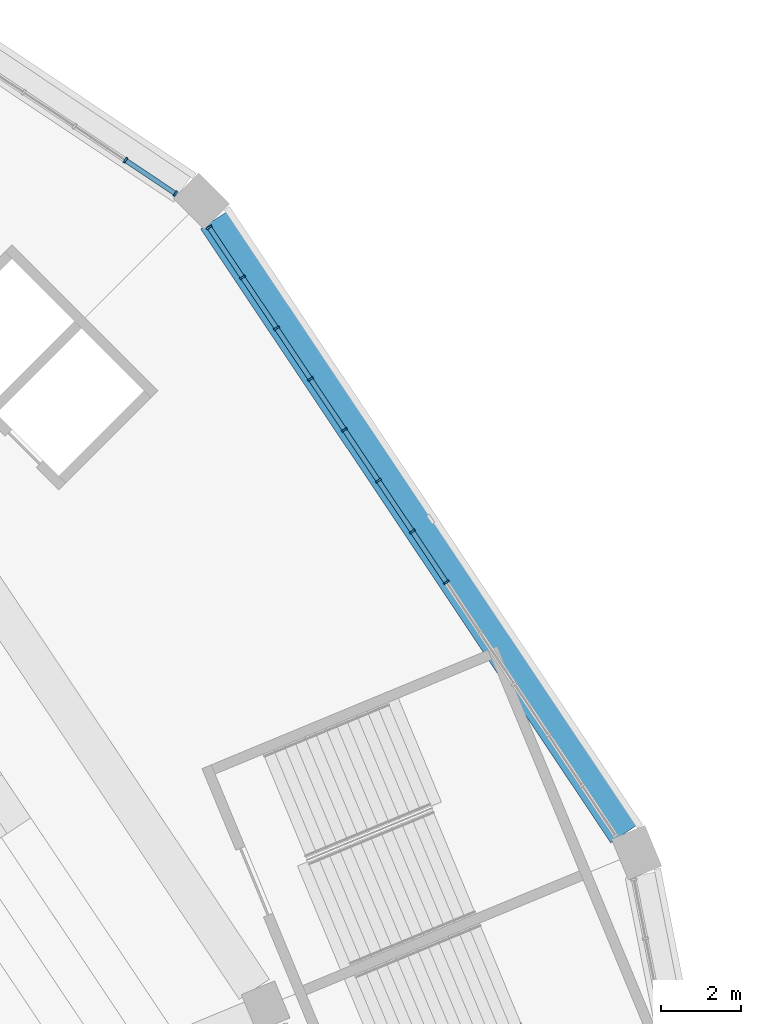
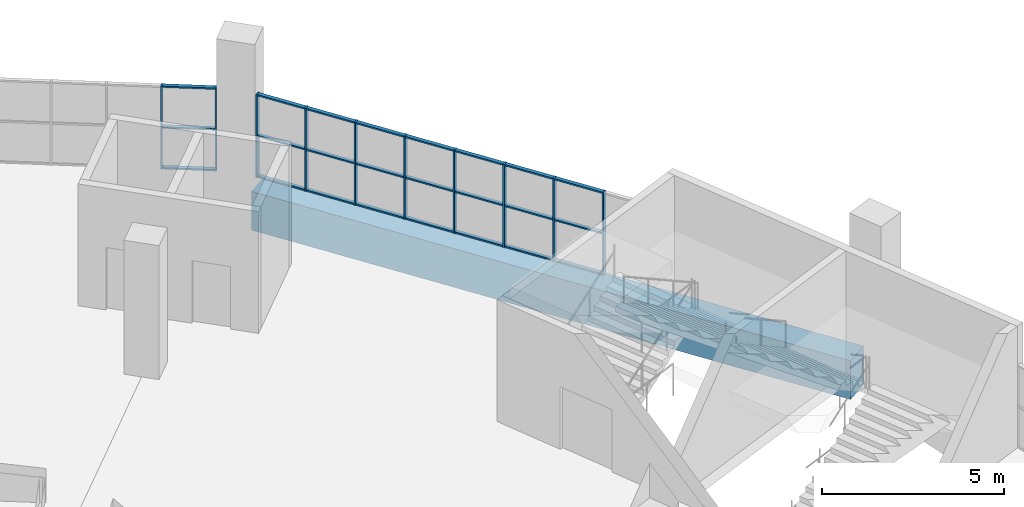
# One storey, part 58 of 249: 34 members, 1 beam, 2 elements without a shape of their own.
"""IFC4 building model written with IfcOpenShell, lengths in metres."""

from ifc_helpers import new_model, si_unit, direction, frame, origin, origin_2d, place, context, subcontext, project, spatial, rectangle, extrude, material, material_profile, profile_set, type_object, element, aggregate, save


model = new_model("IFC4")

# Units and contexts
model_context = context("Model", 3, precision=1e-05, world=origin(), true_north=direction((0.0, 1.0)))
body_context = subcontext(model_context, "Body", "Model", "MODEL_VIEW")
ifc_project = project(units=[si_unit("LENGTHUNIT", "METRE"), si_unit("AREAUNIT", "SQUARE_METRE"), si_unit("VOLUMEUNIT", "CUBIC_METRE"), si_unit("PLANEANGLEUNIT", "RADIAN"), si_unit("MASSUNIT", "GRAM", prefix="KILO")], contexts=[model_context])

# Site, building, storey
site_placement = place(None, origin())
site = spatial("IfcSite", under=ifc_project, at=site_placement, CompositionType="ELEMENT")
building_placement = place(site_placement, origin())
building = spatial("IfcBuilding", under=site, at=building_placement, Name="Ogive Plaza Stadium", CompositionType="ELEMENT")
storey_placement = place(building_placement, frame((0.0, 0.0, 13.5)))
storey = spatial("IfcBuildingStorey", under=building, at=storey_placement, Name="L03", CompositionType="ELEMENT", Elevation=13.5)

# Curtain wall, members
ifc_material_1 = material(Name="Bronze-anodised aluminium with laminated glass", Category="aluminium")
curtain_wall_type = type_object("IfcCurtainWallType", Name="Lancet curtain wall", PredefinedType="NOTDEFINED", material=ifc_material_1)
curtain_wall_1_placement = place(storey_placement, origin())
curtain_wall_1 = element("IfcCurtainWall", 1, at=curtain_wall_1_placement, inside=storey, type_object=curtain_wall_type, Name="CURTAIN WALL B38 L03", PredefinedType="NOTDEFINED")
ifc_material_2 = material(Name="Bronze-anodised aluminium", Category="aluminium")
ifc_material_profile_1 = material_profile(ifc_material_2, rectangle(XDim=0.14990234375, YDim=0.050048828125, at=origin_2d()), Name="AL 150x50")
ifc_profile_set_1 = profile_set([ifc_material_profile_1], Name="Bronze-anodised aluminium")
member_type_1 = type_object("IfcMemberType", Name="Curtain wall mullion 50x150", PredefinedType="MULLION", material=ifc_profile_set_1)
member_1_placement = place(storey_placement, frame((67.462646484375, 88.879638671875, 0.0), z_axis=(0.0, 0.0, 1.0), x_axis=(0.55557023302, 0.831469612303, 0.0)))
member_1 = element("IfcMember", 2, at=member_1_placement, type_object=member_type_1, Name="CW-B38-L03 mullion 12", PredefinedType="MULLION", context=body_context, shape_type="SweptSolid", body=[
    extrude(rectangle(XDim=0.14990234375, YDim=0.050048828125, at=origin_2d()), origin(), (0.0, 0.0, 1.0), 2.7900390625),
])
member_2_placement = place(storey_placement, frame((68.70751953125, 88.047607421875, 0.0), z_axis=(0.0, 0.0, 1.0), x_axis=(0.55557023302, 0.831469612303, 0.0)))
member_2 = element("IfcMember", 3, at=member_2_placement, type_object=member_type_1, Name="CW-B38-L03 mullion 13", PredefinedType="MULLION", context=body_context, shape_type="SweptSolid", body=[
    extrude(rectangle(XDim=0.14990234375, YDim=0.050048828125, at=origin_2d()), origin(), (0.0, 0.0, 1.0), 2.7900390625),
])

curtain_wall_2_placement = place(storey_placement, origin())
curtain_wall_2 = element("IfcCurtainWall", 4, at=curtain_wall_2_placement, inside=storey, type_object=curtain_wall_type, Name="CURTAIN WALL B39 L03", PredefinedType="NOTDEFINED")
member_3_placement = place(storey_placement, frame((69.547607421875, 87.20751953125, 0.0), z_axis=(0.0, 0.0, 1.0), x_axis=(0.831469612303, 0.55557023302, 0.0)))
member_3 = element("IfcMember", 5, at=member_3_placement, type_object=member_type_1, Name="CW-B39-L03 mullion 1", PredefinedType="MULLION", context=body_context, shape_type="SweptSolid", body=[
    extrude(rectangle(XDim=0.14990234375, YDim=0.050048828125, at=origin_2d()), origin(), (0.0, 0.0, 1.0), 2.7900390625),
])
member_4_placement = place(storey_placement, frame((70.379638671875, 85.962646484375, 0.0), z_axis=(0.0, 0.0, 1.0), x_axis=(0.831469612303, 0.55557023302, 0.0)))
member_4 = element("IfcMember", 6, at=member_4_placement, type_object=member_type_1, Name="CW-B39-L03 mullion 2", PredefinedType="MULLION", context=body_context, shape_type="SweptSolid", body=[
    extrude(rectangle(XDim=0.14990234375, YDim=0.050048828125, at=origin_2d()), origin(), (0.0, 0.0, 1.0), 2.7900390625),
])
member_5_placement = place(storey_placement, frame((71.225341796875, 84.69677734375, 0.0), z_axis=(0.0, 0.0, 1.0), x_axis=(0.831469612303, 0.55557023302, 0.0)))
member_5 = element("IfcMember", 7, at=member_5_placement, type_object=member_type_1, Name="CW-B39-L03 mullion 3", PredefinedType="MULLION", context=body_context, shape_type="SweptSolid", body=[
    extrude(rectangle(XDim=0.14990234375, YDim=0.050048828125, at=origin_2d()), origin(), (0.0, 0.0, 1.0), 2.7900390625),
])
member_6_placement = place(storey_placement, frame((72.071044921875, 83.430908203125, 0.0), z_axis=(0.0, 0.0, 1.0), x_axis=(0.831469612303, 0.55557023302, 0.0)))
member_6 = element("IfcMember", 8, at=member_6_placement, type_object=member_type_1, Name="CW-B39-L03 mullion 4", PredefinedType="MULLION", context=body_context, shape_type="SweptSolid", body=[
    extrude(rectangle(XDim=0.14990234375, YDim=0.050048828125, at=origin_2d()), origin(), (0.0, 0.0, 1.0), 2.7900390625),
])
member_7_placement = place(storey_placement, frame((72.916748046875, 82.165283203125, 0.0), z_axis=(0.0, 0.0, 1.0), x_axis=(0.831469612303, 0.55557023302, 0.0)))
member_7 = element("IfcMember", 9, at=member_7_placement, type_object=member_type_1, Name="CW-B39-L03 mullion 5", PredefinedType="MULLION", context=body_context, shape_type="SweptSolid", body=[
    extrude(rectangle(XDim=0.14990234375, YDim=0.050048828125, at=origin_2d()), origin(), (0.0, 0.0, 1.0), 2.7900390625),
])
member_8_placement = place(storey_placement, frame((73.7626953125, 80.8994140625, 0.0), z_axis=(0.0, 0.0, 1.0), x_axis=(0.831469612303, 0.55557023302, 0.0)))
member_8 = element("IfcMember", 10, at=member_8_placement, type_object=member_type_1, Name="CW-B39-L03 mullion 6", PredefinedType="MULLION", context=body_context, shape_type="SweptSolid", body=[
    extrude(rectangle(XDim=0.14990234375, YDim=0.050048828125, at=origin_2d()), origin(), (0.0, 0.0, 1.0), 2.7900390625),
])
member_9_placement = place(storey_placement, frame((74.6083984375, 79.633544921875, 0.0), z_axis=(0.0, 0.0, 1.0), x_axis=(0.831469612303, 0.55557023302, 0.0)))
member_9 = element("IfcMember", 11, at=member_9_placement, type_object=member_type_1, Name="CW-B39-L03 mullion 7", PredefinedType="MULLION", context=body_context, shape_type="SweptSolid", body=[
    extrude(rectangle(XDim=0.14990234375, YDim=0.050048828125, at=origin_2d()), origin(), (0.0, 0.0, 1.0), 2.7900390625),
])
member_10_placement = place(storey_placement, frame((75.4541015625, 78.367919921875, 0.0), z_axis=(0.0, 0.0, 1.0), x_axis=(0.831469612303, 0.55557023302, 0.0)))
member_10 = element("IfcMember", 12, at=member_10_placement, type_object=member_type_1, Name="CW-B39-L03 mullion 8", PredefinedType="MULLION", context=body_context, shape_type="SweptSolid", body=[
    extrude(rectangle(XDim=0.14990234375, YDim=0.050048828125, at=origin_2d()), origin(), (0.0, 0.0, 1.0), 2.7900390625),
])

# Member
ifc_material_3 = material(Name="Bronze-anodised aluminium", Category="aluminium")
ifc_material_profile_2 = material_profile(ifc_material_3, rectangle(XDim=0.1201171875, YDim=0.050048828125, at=origin_2d()), Name="AL 120x50")
ifc_profile_set_2 = profile_set([ifc_material_profile_2], Name="Bronze-anodised aluminium")
member_type_2 = type_object("IfcMemberType", Name="Curtain wall transom 50x120", PredefinedType="USERDEFINED", material=ifc_profile_set_2)
member_11_placement = place(storey_placement, frame((67.4833984375, 88.86572265625, 0.02490234375), z_axis=(0.831426948977, -0.555634077892, 0.0), x_axis=(0.555634077892, 0.831426948977, 0.0)))
member_11 = element("IfcMember", 13, at=member_11_placement, type_object=member_type_2, Name="CW-B38-L03 transom 12.1", ObjectType="TRANSOM", PredefinedType="USERDEFINED", context=body_context, shape_type="SweptSolid", body=[
    extrude(rectangle(XDim=0.1201171875, YDim=0.050048828125, at=origin_2d()), origin(), (0.0, 0.0, 1.0), 1.447265625),
])

member_12_placement = place(storey_placement, frame((67.4833984375, 88.86572265625, 1.39501953125), z_axis=(0.831426948977, -0.555634077892, 0.0), x_axis=(0.555634077892, 0.831426948977, 0.0)))
member_12 = element("IfcMember", 14, at=member_12_placement, type_object=member_type_2, Name="CW-B38-L03 transom 12.2", ObjectType="TRANSOM", PredefinedType="USERDEFINED", context=body_context, shape_type="SweptSolid", body=[
    extrude(rectangle(XDim=0.1201171875, YDim=0.050048828125, at=origin_2d()), origin(), (0.0, 0.0, 1.0), 1.447265625),
])

member_13_placement = place(storey_placement, frame((67.4833984375, 88.86572265625, 2.764892578125), z_axis=(0.831426948977, -0.555634077892, 0.0), x_axis=(0.555634077892, 0.831426948977, 0.0)))
member_13 = element("IfcMember", 15, at=member_13_placement, type_object=member_type_2, Name="CW-B38-L03 transom 12.3", ObjectType="TRANSOM", PredefinedType="USERDEFINED", context=body_context, shape_type="SweptSolid", body=[
    extrude(rectangle(XDim=0.1201171875, YDim=0.050048828125, at=origin_2d()), origin(), (0.0, 0.0, 1.0), 1.447265625),
])

aggregate(curtain_wall_1, [member_1, member_2, member_11, member_12, member_13])

member_14_placement = place(storey_placement, frame((69.5615234375, 87.186767578125, 0.02490234375), z_axis=(0.555634077892, -0.831426948977, 0.0), x_axis=(0.831426948977, 0.555634077892, 0.0)))
member_14 = element("IfcMember", 16, at=member_14_placement, type_object=member_type_2, Name="CW-B39-L03 transom 1.1", ObjectType="TRANSOM", PredefinedType="USERDEFINED", context=body_context, shape_type="SweptSolid", body=[
    extrude(rectangle(XDim=0.1201171875, YDim=0.050048828125, at=origin_2d()), origin(), (0.0, 0.0, 1.0), 1.447265625),
])

member_15_placement = place(storey_placement, frame((69.5615234375, 87.186767578125, 1.39501953125), z_axis=(0.555634077892, -0.831426948977, 0.0), x_axis=(0.831426948977, 0.555634077892, 0.0)))
member_15 = element("IfcMember", 17, at=member_15_placement, type_object=member_type_2, Name="CW-B39-L03 transom 1.2", ObjectType="TRANSOM", PredefinedType="USERDEFINED", context=body_context, shape_type="SweptSolid", body=[
    extrude(rectangle(XDim=0.1201171875, YDim=0.050048828125, at=origin_2d()), origin(), (0.0, 0.0, 1.0), 1.447265625),
])

member_16_placement = place(storey_placement, frame((69.5615234375, 87.186767578125, 2.764892578125), z_axis=(0.555634077892, -0.831426948977, 0.0), x_axis=(0.831426948977, 0.555634077892, 0.0)))
member_16 = element("IfcMember", 18, at=member_16_placement, type_object=member_type_2, Name="CW-B39-L03 transom 1.3", ObjectType="TRANSOM", PredefinedType="USERDEFINED", context=body_context, shape_type="SweptSolid", body=[
    extrude(rectangle(XDim=0.1201171875, YDim=0.050048828125, at=origin_2d()), origin(), (0.0, 0.0, 1.0), 1.447265625),
])

member_17_placement = place(storey_placement, frame((70.393310546875, 85.941650390625, 0.02490234375), z_axis=(0.555656472512, -0.831411982446, 0.0), x_axis=(0.831411982446, 0.555656472512, 0.0)))
member_17 = element("IfcMember", 19, at=member_17_placement, type_object=member_type_2, Name="CW-B39-L03 transom 2.1", ObjectType="TRANSOM", PredefinedType="USERDEFINED", context=body_context, shape_type="SweptSolid", body=[
    extrude(rectangle(XDim=0.1201171875, YDim=0.050048828125, at=origin_2d()), origin(), (0.0, 0.0, 1.0), 1.472412109375),
])

member_18_placement = place(storey_placement, frame((70.393310546875, 85.941650390625, 1.39501953125), z_axis=(0.555656472512, -0.831411982446, 0.0), x_axis=(0.831411982446, 0.555656472512, 0.0)))
member_18 = element("IfcMember", 20, at=member_18_placement, type_object=member_type_2, Name="CW-B39-L03 transom 2.2", ObjectType="TRANSOM", PredefinedType="USERDEFINED", context=body_context, shape_type="SweptSolid", body=[
    extrude(rectangle(XDim=0.1201171875, YDim=0.050048828125, at=origin_2d()), origin(), (0.0, 0.0, 1.0), 1.472412109375),
])

member_19_placement = place(storey_placement, frame((70.393310546875, 85.941650390625, 2.764892578125), z_axis=(0.555656472512, -0.831411982446, 0.0), x_axis=(0.831411982446, 0.555656472512, 0.0)))
member_19 = element("IfcMember", 21, at=member_19_placement, type_object=member_type_2, Name="CW-B39-L03 transom 2.3", ObjectType="TRANSOM", PredefinedType="USERDEFINED", context=body_context, shape_type="SweptSolid", body=[
    extrude(rectangle(XDim=0.1201171875, YDim=0.050048828125, at=origin_2d()), origin(), (0.0, 0.0, 1.0), 1.472412109375),
])

member_20_placement = place(storey_placement, frame((71.2392578125, 84.676025390625, 0.02490234375), z_axis=(0.555465240925, -0.83153975619, 0.0), x_axis=(0.83153975619, 0.555465240925, 0.0)))
member_20 = element("IfcMember", 22, at=member_20_placement, type_object=member_type_2, Name="CW-B39-L03 transom 3.1", ObjectType="TRANSOM", PredefinedType="USERDEFINED", context=body_context, shape_type="SweptSolid", body=[
    extrude(rectangle(XDim=0.1201171875, YDim=0.050048828125, at=origin_2d()), origin(), (0.0, 0.0, 1.0), 1.472412109375),
])

member_21_placement = place(storey_placement, frame((71.2392578125, 84.676025390625, 1.39501953125), z_axis=(0.555465240925, -0.83153975619, 0.0), x_axis=(0.83153975619, 0.555465240925, 0.0)))
member_21 = element("IfcMember", 23, at=member_21_placement, type_object=member_type_2, Name="CW-B39-L03 transom 3.2", ObjectType="TRANSOM", PredefinedType="USERDEFINED", context=body_context, shape_type="SweptSolid", body=[
    extrude(rectangle(XDim=0.1201171875, YDim=0.050048828125, at=origin_2d()), origin(), (0.0, 0.0, 1.0), 1.472412109375),
])

member_22_placement = place(storey_placement, frame((71.2392578125, 84.676025390625, 2.764892578125), z_axis=(0.555465240925, -0.83153975619, 0.0), x_axis=(0.83153975619, 0.555465240925, 0.0)))
member_22 = element("IfcMember", 24, at=member_22_placement, type_object=member_type_2, Name="CW-B39-L03 transom 3.3", ObjectType="TRANSOM", PredefinedType="USERDEFINED", context=body_context, shape_type="SweptSolid", body=[
    extrude(rectangle(XDim=0.1201171875, YDim=0.050048828125, at=origin_2d()), origin(), (0.0, 0.0, 1.0), 1.472412109375),
])

member_23_placement = place(storey_placement, frame((72.0849609375, 83.41015625, 0.02490234375), z_axis=(0.555541835587, -0.831488586159, 0.0), x_axis=(0.831488586159, 0.555541835587, 0.0)))
member_23 = element("IfcMember", 25, at=member_23_placement, type_object=member_type_2, Name="CW-B39-L03 transom 4.1", ObjectType="TRANSOM", PredefinedType="USERDEFINED", context=body_context, shape_type="SweptSolid", body=[
    extrude(rectangle(XDim=0.1201171875, YDim=0.050048828125, at=origin_2d()), origin(), (0.0, 0.0, 1.0), 1.47216796875),
])

member_24_placement = place(storey_placement, frame((72.0849609375, 83.41015625, 1.39501953125), z_axis=(0.555541835587, -0.831488586159, 0.0), x_axis=(0.831488586159, 0.555541835587, 0.0)))
member_24 = element("IfcMember", 26, at=member_24_placement, type_object=member_type_2, Name="CW-B39-L03 transom 4.2", ObjectType="TRANSOM", PredefinedType="USERDEFINED", context=body_context, shape_type="SweptSolid", body=[
    extrude(rectangle(XDim=0.1201171875, YDim=0.050048828125, at=origin_2d()), origin(), (0.0, 0.0, 1.0), 1.47216796875),
])

member_25_placement = place(storey_placement, frame((72.0849609375, 83.41015625, 2.764892578125), z_axis=(0.555541835587, -0.831488586159, 0.0), x_axis=(0.831488586159, 0.555541835587, 0.0)))
member_25 = element("IfcMember", 27, at=member_25_placement, type_object=member_type_2, Name="CW-B39-L03 transom 4.3", ObjectType="TRANSOM", PredefinedType="USERDEFINED", context=body_context, shape_type="SweptSolid", body=[
    extrude(rectangle(XDim=0.1201171875, YDim=0.050048828125, at=origin_2d()), origin(), (0.0, 0.0, 1.0), 1.47216796875),
])

member_26_placement = place(storey_placement, frame((72.9306640625, 82.14453125, 0.02490234375), z_axis=(0.555579876157, -0.831463168883, 0.0), x_axis=(0.831463168883, 0.555579876157, 0.0)))
member_26 = element("IfcMember", 28, at=member_26_placement, type_object=member_type_2, Name="CW-B39-L03 transom 5.1", ObjectType="TRANSOM", PredefinedType="USERDEFINED", context=body_context, shape_type="SweptSolid", body=[
    extrude(rectangle(XDim=0.1201171875, YDim=0.050048828125, at=origin_2d()), origin(), (0.0, 0.0, 1.0), 1.47265625),
])

member_27_placement = place(storey_placement, frame((72.9306640625, 82.14453125, 1.39501953125), z_axis=(0.555579876157, -0.831463168883, 0.0), x_axis=(0.831463168883, 0.555579876157, 0.0)))
member_27 = element("IfcMember", 29, at=member_27_placement, type_object=member_type_2, Name="CW-B39-L03 transom 5.2", ObjectType="TRANSOM", PredefinedType="USERDEFINED", context=body_context, shape_type="SweptSolid", body=[
    extrude(rectangle(XDim=0.1201171875, YDim=0.050048828125, at=origin_2d()), origin(), (0.0, 0.0, 1.0), 1.47265625),
])

member_28_placement = place(storey_placement, frame((72.9306640625, 82.14453125, 2.764892578125), z_axis=(0.555579876157, -0.831463168883, 0.0), x_axis=(0.831463168883, 0.555579876157, 0.0)))
member_28 = element("IfcMember", 30, at=member_28_placement, type_object=member_type_2, Name="CW-B39-L03 transom 5.3", ObjectType="TRANSOM", PredefinedType="USERDEFINED", context=body_context, shape_type="SweptSolid", body=[
    extrude(rectangle(XDim=0.1201171875, YDim=0.050048828125, at=origin_2d()), origin(), (0.0, 0.0, 1.0), 1.47265625),
])

member_29_placement = place(storey_placement, frame((73.7763671875, 80.878662109375, 0.02490234375), z_axis=(0.555656472512, -0.831411982446, 0.0), x_axis=(0.831411982446, 0.555656472512, 0.0)))
member_29 = element("IfcMember", 31, at=member_29_placement, type_object=member_type_2, Name="CW-B39-L03 transom 6.1", ObjectType="TRANSOM", PredefinedType="USERDEFINED", context=body_context, shape_type="SweptSolid", body=[
    extrude(rectangle(XDim=0.1201171875, YDim=0.050048828125, at=origin_2d()), origin(), (0.0, 0.0, 1.0), 1.472412109375),
])

member_30_placement = place(storey_placement, frame((73.7763671875, 80.878662109375, 1.39501953125), z_axis=(0.555656472512, -0.831411982446, 0.0), x_axis=(0.831411982446, 0.555656472512, 0.0)))
member_30 = element("IfcMember", 32, at=member_30_placement, type_object=member_type_2, Name="CW-B39-L03 transom 6.2", ObjectType="TRANSOM", PredefinedType="USERDEFINED", context=body_context, shape_type="SweptSolid", body=[
    extrude(rectangle(XDim=0.1201171875, YDim=0.050048828125, at=origin_2d()), origin(), (0.0, 0.0, 1.0), 1.472412109375),
])

member_31_placement = place(storey_placement, frame((73.7763671875, 80.878662109375, 2.764892578125), z_axis=(0.555656472512, -0.831411982446, 0.0), x_axis=(0.831411982446, 0.555656472512, 0.0)))
member_31 = element("IfcMember", 33, at=member_31_placement, type_object=member_type_2, Name="CW-B39-L03 transom 6.3", ObjectType="TRANSOM", PredefinedType="USERDEFINED", context=body_context, shape_type="SweptSolid", body=[
    extrude(rectangle(XDim=0.1201171875, YDim=0.050048828125, at=origin_2d()), origin(), (0.0, 0.0, 1.0), 1.472412109375),
])

member_32_placement = place(storey_placement, frame((74.622314453125, 79.61279296875, 0.02490234375), z_axis=(0.555541835587, -0.831488586159, 0.0), x_axis=(0.831488586159, 0.555541835587, 0.0)))
member_32 = element("IfcMember", 34, at=member_32_placement, type_object=member_type_2, Name="CW-B39-L03 transom 7.1", ObjectType="TRANSOM", PredefinedType="USERDEFINED", context=body_context, shape_type="SweptSolid", body=[
    extrude(rectangle(XDim=0.1201171875, YDim=0.050048828125, at=origin_2d()), origin(), (0.0, 0.0, 1.0), 1.47216796875),
])

member_33_placement = place(storey_placement, frame((74.622314453125, 79.61279296875, 1.39501953125), z_axis=(0.555541835587, -0.831488586159, 0.0), x_axis=(0.831488586159, 0.555541835587, 0.0)))
member_33 = element("IfcMember", 35, at=member_33_placement, type_object=member_type_2, Name="CW-B39-L03 transom 7.2", ObjectType="TRANSOM", PredefinedType="USERDEFINED", context=body_context, shape_type="SweptSolid", body=[
    extrude(rectangle(XDim=0.1201171875, YDim=0.050048828125, at=origin_2d()), origin(), (0.0, 0.0, 1.0), 1.47216796875),
])

member_34_placement = place(storey_placement, frame((74.622314453125, 79.61279296875, 2.764892578125), z_axis=(0.555541835587, -0.831488586159, 0.0), x_axis=(0.831488586159, 0.555541835587, 0.0)))
member_34 = element("IfcMember", 36, at=member_34_placement, type_object=member_type_2, Name="CW-B39-L03 transom 7.3", ObjectType="TRANSOM", PredefinedType="USERDEFINED", context=body_context, shape_type="SweptSolid", body=[
    extrude(rectangle(XDim=0.1201171875, YDim=0.050048828125, at=origin_2d()), origin(), (0.0, 0.0, 1.0), 1.47216796875),
])

aggregate(curtain_wall_2, [member_3, member_4, member_5, member_6, member_7, member_8, member_9, member_10, member_14, member_15, member_16, member_17, member_18, member_19, member_20, member_21, member_22, member_23, member_24, member_25, member_26, member_27, member_28, member_29, member_30, member_31, member_32, member_33, member_34])

# Beam
ifc_material_4 = material(Name="Concrete C40/50", Category="concrete")
ifc_material_profile_3 = material_profile(ifc_material_4, rectangle(XDim=0.800048828125, YDim=1.300048828125, at=origin_2d()), Name="RC 800x1300")
ifc_profile_set_3 = profile_set([ifc_material_profile_3], Name="Concrete C40/50")
beam_type = type_object("IfcBeamType", Name="RC spandrel beam 800x1300", PredefinedType="SPANDREL", material=ifc_profile_set_3)
beam_placement = place(storey_placement, frame((69.6669921875, 87.38916015625, -1.06005859375), z_axis=(0.555557833169, -0.831477897484, 0.0), x_axis=(0.831477897484, 0.555557833169, 0.0)))
element("IfcBeam", 37, at=beam_placement, inside=storey, type_object=beam_type, Name="Ring beam F5 L03 B39", PredefinedType="SPANDREL", context=body_context, shape_type="SweptSolid", body=[
    extrude(rectangle(XDim=0.800048828125, YDim=1.300048828125, at=origin_2d()), origin(), (0.0, 0.0, 1.0), 18.387451171875),
])

save(model, "model.ifc")
